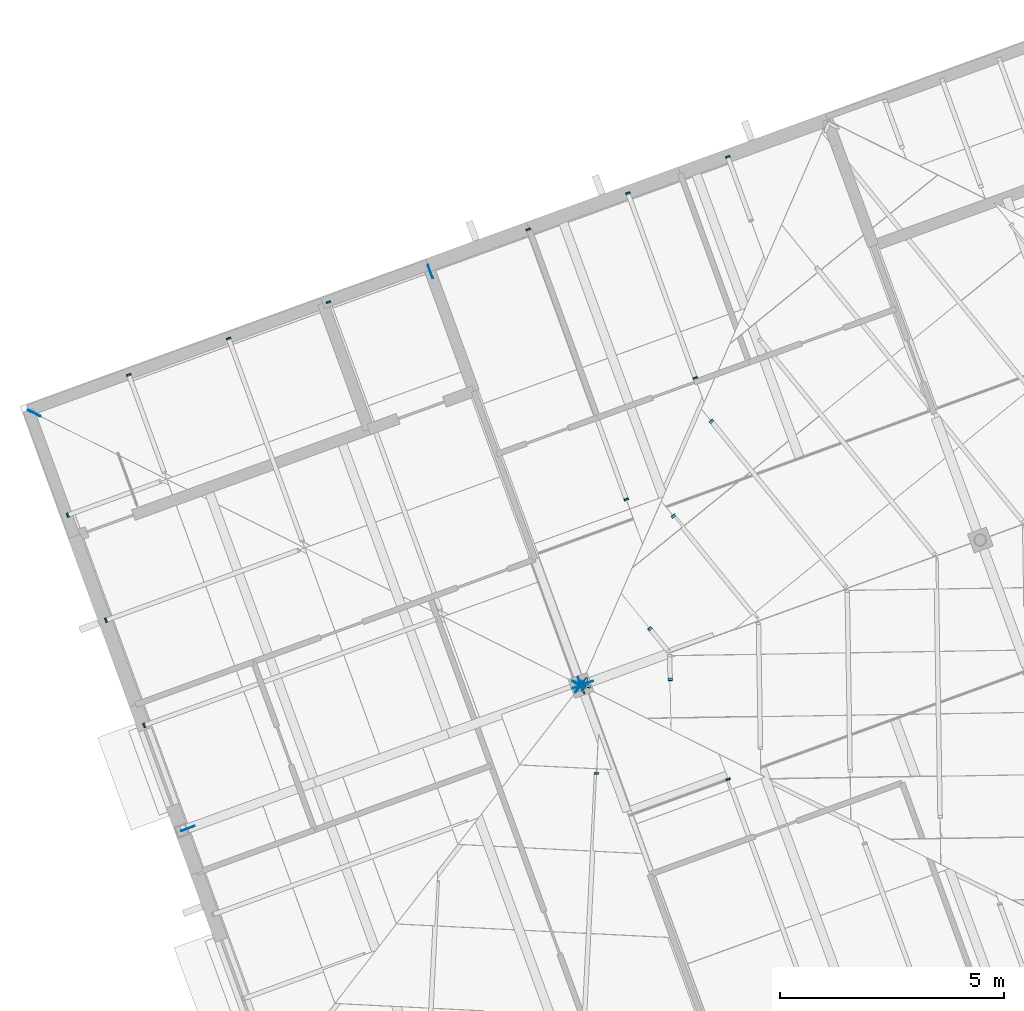
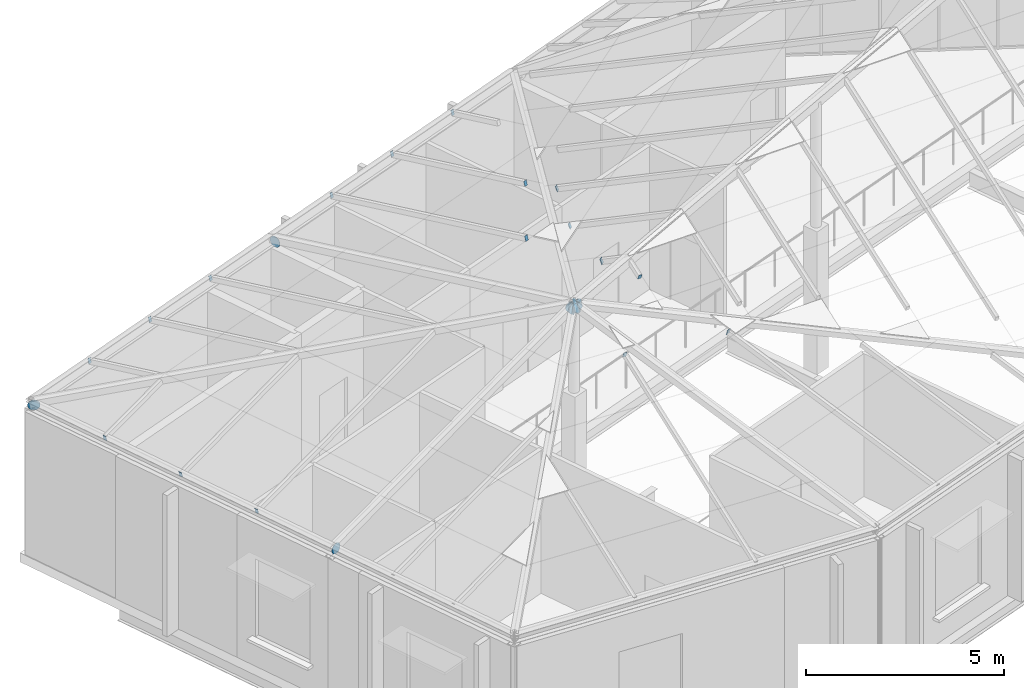
# One storey, part 67 of 95: 28 discrete accessories.
"""IFC4 building model written with IfcOpenShell, lengths in metres."""

from ifc_helpers import new_model, si_unit, direction, frame, origin, origin_2d, place, context, subcontext, project, spatial, rectangle, circle, extrude, material, layer, layer_set, type_object, element, save


model = new_model("IFC4")

# Units and contexts
model_context = context("Model", 3, precision=1e-05, world=origin(), true_north=direction((0.0, 1.0)))
body_context = subcontext(model_context, "Body", "Model", "MODEL_VIEW")
ifc_project = project(units=[si_unit("LENGTHUNIT", "METRE"), si_unit("AREAUNIT", "SQUARE_METRE"), si_unit("VOLUMEUNIT", "CUBIC_METRE"), si_unit("PLANEANGLEUNIT", "RADIAN"), si_unit("MASSUNIT", "GRAM", prefix="KILO")], contexts=[model_context])

# Site, building, storey
site_placement = place(None, origin())
site = spatial("IfcSite", under=ifc_project, at=site_placement, CompositionType="ELEMENT")
building_placement = place(site_placement, origin())
building = spatial("IfcBuilding", under=site, at=building_placement, Name="Windward Yard Aquatics Centre", CompositionType="ELEMENT")
storey_placement = place(building_placement, frame((0.0, 0.0, 9.39990234375)))
storey = spatial("IfcBuildingStorey", under=building, at=storey_placement, Name="L02", CompositionType="ELEMENT", Elevation=9.39990234375)

# Discrete accessories
ifc_material = material(Name="Steel S355", Category="steel")
ifc_layer_1 = layer(ifc_material, 0.010009765625)
ifc_layer_set_1 = layer_set([ifc_layer_1], Name="End cap plate 10 mm RHS100x150x6")
discrete_accessory_type_1 = type_object("IfcDiscreteAccessoryType", Name="End cap plate 10 mm RHS100x150x6", PredefinedType="USERDEFINED", material=ifc_layer_set_1)
for number, where, z_axis, x_axis, name in (
    (1, (20.353759765625, 100.56884765625, 4.639892578125), (0.343100156977, -0.906764700582, 0.245071540698), (0.935286257456, 0.353892097416, 0.0), "End cap"),
    (2, (18.611328125, 90.02099609375, 7.074951171875), (0.592276723684, -0.715667707785, 0.370172952302), (0.770394321125, 0.637567714034, 0.0), "End cap"),
    (3, (19.066162109375, 88.87890625, 7.118408203125), (-0.024470439212, 0.929876690042, 0.367056588174), (-0.999653919353, -0.026306682088, 0.0), "End cap"),
    (4, (20.3642578125, 86.652099609375, 6.326904296875), (-0.343100156977, 0.906764700582, 0.245071540698), (-0.935286257456, -0.353892097416, 0.0), "End cap"),
    (5, (19.13623046875, 92.5390625, 6.447998046875), (0.586939185653, -0.733673982067, 0.342381191631), (0.780868809443, 0.624695047554, 0.0), "End cap"),
    (6, (11.4267578125, 97.31982421875, 4.639892578125), (0.314097638208, -0.91813155784, 0.241613567853), (0.946163984953, 0.323687679063, 0.0), "End cap"),
    (7, (15.89013671875, 98.9443359375, 4.639892578125), (0.343100156977, -0.906764700582, 0.245071540698), (0.935286257456, 0.353892097416, 0.0), "End cap"),
    (8, (18.08544921875, 92.91259765625, 6.21240234375), (0.343100156977, -0.906764700582, 0.245071540698), (0.935286257456, 0.353892097416, 0.0), "End cap"),
):
    element("IfcDiscreteAccessory", number, at=place(storey_placement, frame(where, z_axis=z_axis, x_axis=x_axis)), inside=storey, type_object=discrete_accessory_type_1, Name=name, ObjectType="END CAP", PredefinedType="USERDEFINED", context=body_context, shape_type="SweptSolid", body=[
        extrude(rectangle(XDim=0.10009765625, YDim=0.14990234375, at=origin_2d()), origin(), (0.0, 0.0, 1.0), 0.010009765625),
    ])
discrete_accessory_1_placement = place(storey_placement, frame((6.963134765625, 95.695068359375, 4.639892578125), z_axis=(0.32120803722, -0.914207490549, 0.247083105554), x_axis=(0.943460139651, 0.331485995013, 0.0)))
element("IfcDiscreteAccessory", 9, at=discrete_accessory_1_placement, inside=storey, type_object=discrete_accessory_type_1, Name="End cap", ObjectType="END CAP", PredefinedType="USERDEFINED", context=body_context, shape_type="SweptSolid", body=[
    extrude(rectangle(XDim=0.10009765625, YDim=0.14990234375, at=origin_2d()), origin(), (0.0, 0.0, 1.0), 0.009765625),
])
discrete_accessory_2_placement = place(storey_placement, frame((7.3076171875, 87.85693359375, 4.64013671875), z_axis=(0.910980272822, 0.33562431104, 0.239731650743), x_axis=(-0.345705358827, 0.938343116817, 0.0)))
element("IfcDiscreteAccessory", 10, at=discrete_accessory_2_placement, inside=storey, type_object=discrete_accessory_type_1, Name="End cap", ObjectType="END CAP", PredefinedType="USERDEFINED", context=body_context, shape_type="SweptSolid", body=[
    extrude(rectangle(XDim=0.10009765625, YDim=0.14990234375, at=origin_2d()), origin(), (0.0, 0.0, 1.0), 0.01025390625),
])
discrete_accessory_3_placement = place(storey_placement, frame((9.19482421875, 96.50732421875, 4.639892578125), z_axis=(0.343100156977, -0.906764700582, 0.245071540698), x_axis=(0.935286257456, 0.353892097416, 0.0)))
element("IfcDiscreteAccessory", 11, at=discrete_accessory_3_placement, inside=storey, type_object=discrete_accessory_type_1, Name="End cap", ObjectType="END CAP", PredefinedType="USERDEFINED", context=body_context, shape_type="SweptSolid", body=[
    extrude(rectangle(XDim=0.10009765625, YDim=0.14990234375, at=origin_2d()), origin(), (0.0, 0.0, 1.0), 0.010009765625),
])
discrete_accessory_4_placement = place(storey_placement, frame((19.986083984375, 94.656982421875, 6.02001953125), z_axis=(0.597577253655, -0.722072514833, 0.348586731299), x_axis=(0.770394321125, 0.637567714034, 0.0)))
element("IfcDiscreteAccessory", 12, at=discrete_accessory_4_placement, inside=storey, type_object=discrete_accessory_type_1, Name="End cap", ObjectType="END CAP", PredefinedType="USERDEFINED", context=body_context, shape_type="SweptSolid", body=[
    extrude(rectangle(XDim=0.10009765625, YDim=0.14990234375, at=origin_2d()), origin(), (0.0, 0.0, 1.0), 0.009765625),
])
discrete_accessory_5_placement = place(storey_placement, frame((17.420654296875, 86.7822265625, 6.567138671875), z_axis=(0.048154341234, 0.963086824686, 0.264848876789), x_axis=(-0.998752338878, 0.049937616944, 0.0)))
element("IfcDiscreteAccessory", 13, at=discrete_accessory_5_placement, inside=storey, type_object=discrete_accessory_type_1, Name="End cap", ObjectType="END CAP", PredefinedType="USERDEFINED", context=body_context, shape_type="SweptSolid", body=[
    extrude(rectangle(XDim=0.10009765625, YDim=0.14990234375, at=origin_2d()), origin(), (0.0, 0.0, 1.0), 0.01025390625),
])
discrete_accessory_6_placement = place(storey_placement, frame((18.1220703125, 99.756591796875, 4.639892578125), z_axis=(0.32120803722, -0.914207490549, 0.247083105554), x_axis=(0.943460139651, 0.331485995013, 0.0)))
element("IfcDiscreteAccessory", 14, at=discrete_accessory_6_placement, inside=storey, type_object=discrete_accessory_type_1, Name="End cap", ObjectType="END CAP", PredefinedType="USERDEFINED", context=body_context, shape_type="SweptSolid", body=[
    extrude(rectangle(XDim=0.10009765625, YDim=0.14990234375, at=origin_2d()), origin(), (0.0, 0.0, 1.0), 0.009765625),
])
discrete_accessory_7_placement = place(storey_placement, frame((19.625244140625, 95.62646484375, 5.716796875), z_axis=(0.33562431104, -0.910980272822, 0.239731650743), x_axis=(0.938343116817, 0.345705358827, 0.0)))
element("IfcDiscreteAccessory", 15, at=discrete_accessory_7_placement, inside=storey, type_object=discrete_accessory_type_1, Name="End cap", ObjectType="END CAP", PredefinedType="USERDEFINED", context=body_context, shape_type="SweptSolid", body=[
    extrude(rectangle(XDim=0.10009765625, YDim=0.14990234375, at=origin_2d()), origin(), (0.0, 0.0, 1.0), 0.01025390625),
])
discrete_accessory_8_placement = place(storey_placement, frame((5.59765625, 92.555419921875, 4.64013671875), z_axis=(0.906764700582, 0.343100156977, 0.245071540698), x_axis=(-0.353892097416, 0.935286257456, 0.0)))
element("IfcDiscreteAccessory", 16, at=discrete_accessory_8_placement, inside=storey, type_object=discrete_accessory_type_1, Name="End cap", ObjectType="END CAP", PredefinedType="USERDEFINED", context=body_context, shape_type="SweptSolid", body=[
    extrude(rectangle(XDim=0.10009765625, YDim=0.14990234375, at=origin_2d()), origin(), (0.0, 0.0, 1.0), 0.010009765625),
])
discrete_accessory_9_placement = place(storey_placement, frame((6.45263671875, 90.206298828125, 4.64013671875), z_axis=(0.910980272822, 0.33562431104, 0.239731650743), x_axis=(-0.345705358827, 0.938343116817, 0.0)))
element("IfcDiscreteAccessory", 17, at=discrete_accessory_9_placement, inside=storey, type_object=discrete_accessory_type_1, Name="End cap", ObjectType="END CAP", PredefinedType="USERDEFINED", context=body_context, shape_type="SweptSolid", body=[
    extrude(rectangle(XDim=0.10009765625, YDim=0.14990234375, at=origin_2d()), origin(), (0.0, 0.0, 1.0), 0.01025390625),
])
ifc_layer_2 = layer(ifc_material, 0.011962890625)
ifc_layer_set_2 = layer_set([ifc_layer_2], Name="Gusset plate 320 mm disc 12 mm, roof frames")
discrete_accessory_type_2 = type_object("IfcDiscreteAccessoryType", Name="Gusset plate 320 mm disc 12 mm, roof frames", PredefinedType="USERDEFINED", material=ifc_layer_set_2)
for number, where, z_axis, x_axis, name in (
    (18, (17.19580078125, 88.7890625, 6.980712890625), (-0.346650140872, 0.937994498829, 0.0), (-0.937994498829, -0.346650140872, 0.0), "Gusset plate"),
    (19, (17.037841796875, 88.7177734375, 6.948486328125), (0.792623989105, -0.60971076085, 0.0), (0.60971076085, 0.792623989105, 0.0), "Gusset plate"),
):
    element("IfcDiscreteAccessory", number, at=place(storey_placement, frame(where, z_axis=z_axis, x_axis=x_axis)), inside=storey, type_object=discrete_accessory_type_2, Name=name, ObjectType="GUSSET PLATE", PredefinedType="USERDEFINED", context=body_context, shape_type="SweptSolid", body=[
        extrude(circle(Radius=0.159912109375, at=origin_2d()), origin(), (0.0, 0.0, 1.0), 0.011962890625),
    ])
discrete_accessory_10_placement = place(storey_placement, frame((17.09228515625, 88.71435546875, 6.947021484375), z_axis=(0.944926459864, 0.32167709272, 0.060314454885), x_axis=(-0.322263797804, 0.94664990605, 0.0)))
element("IfcDiscreteAccessory", 20, at=discrete_accessory_10_placement, inside=storey, type_object=discrete_accessory_type_2, Name="Gusset plate", ObjectType="GUSSET PLATE", PredefinedType="USERDEFINED", context=body_context, shape_type="SweptSolid", body=[
    extrude(circle(Radius=0.159912109375, at=origin_2d()), origin(), (0.0, 0.0, 1.0), 0.01220703125),
])
for number, where, z_axis, x_axis, name in (
    (21, (8.2900390625, 85.560546875, 4.546630859375), (0.346650140872, -0.937994498829, 0.0), (0.937994498829, 0.346650140872, 0.0), "Gusset plate"),
    (22, (17.03515625, 88.743408203125, 6.946533203125), (0.346650140872, -0.937994498829, 0.0), (0.937994498829, 0.346650140872, 0.0), "Gusset plate"),
    (23, (17.14794921875, 88.77099609375, 6.955810546875), (0.474050497581, 0.845046539166, 0.24733069439), (-0.872143041114, 0.489250974283, 0.0), "Gusset plate"),
):
    element("IfcDiscreteAccessory", number, at=place(storey_placement, frame(where, z_axis=z_axis, x_axis=x_axis)), inside=storey, type_object=discrete_accessory_type_2, Name=name, ObjectType="GUSSET PLATE", PredefinedType="USERDEFINED", context=body_context, shape_type="SweptSolid", body=[
        extrude(circle(Radius=0.159912109375, at=origin_2d()), origin(), (0.0, 0.0, 1.0), 0.011962890625),
    ])
discrete_accessory_11_placement = place(storey_placement, frame((17.154296875, 88.779541015625, 6.958740234375), z_axis=(-0.907656609489, 0.342892496918, -0.24204176253), x_axis=(-0.353400568719, -0.935472093667, 0.0)))
element("IfcDiscreteAccessory", 24, at=discrete_accessory_11_placement, inside=storey, type_object=discrete_accessory_type_2, Name="Gusset plate", ObjectType="GUSSET PLATE", PredefinedType="USERDEFINED", context=body_context, shape_type="SweptSolid", body=[
    extrude(circle(Radius=0.159912109375, at=origin_2d()), origin(), (0.0, 0.0, 1.0), 0.01220703125),
])
for number, where, z_axis, x_axis, name in (
    (25, (13.710693359375, 98.005859375, 4.544677734375), (-0.937994498829, -0.346650140872, 0.0), (0.346650140872, -0.937994498829, 0.0), "Gusset plate"),
    (26, (17.064453125, 88.791259765625, 6.947021484375), (-0.944496796706, -0.328520624941, 0.0), (0.328520624941, -0.944496796706, 0.0), "Gusset plate"),
    (27, (4.854248046875, 94.843505859375, 4.535888671875), (-0.447121224623, -0.894242449246, -0.020323692028), (0.894427191, -0.4472135955, 0.0), "Gusset plate"),
    (28, (17.025146484375, 88.783447265625, 6.950927734375), (-0.447121224623, -0.894242449246, -0.020323692028), (0.894427191, -0.4472135955, 0.0), "Gusset plate"),
):
    element("IfcDiscreteAccessory", number, at=place(storey_placement, frame(where, z_axis=z_axis, x_axis=x_axis)), inside=storey, type_object=discrete_accessory_type_2, Name=name, ObjectType="GUSSET PLATE", PredefinedType="USERDEFINED", context=body_context, shape_type="SweptSolid", body=[
        extrude(circle(Radius=0.159912109375, at=origin_2d()), origin(), (0.0, 0.0, 1.0), 0.011962890625),
    ])

save(model, "model.ifc")
